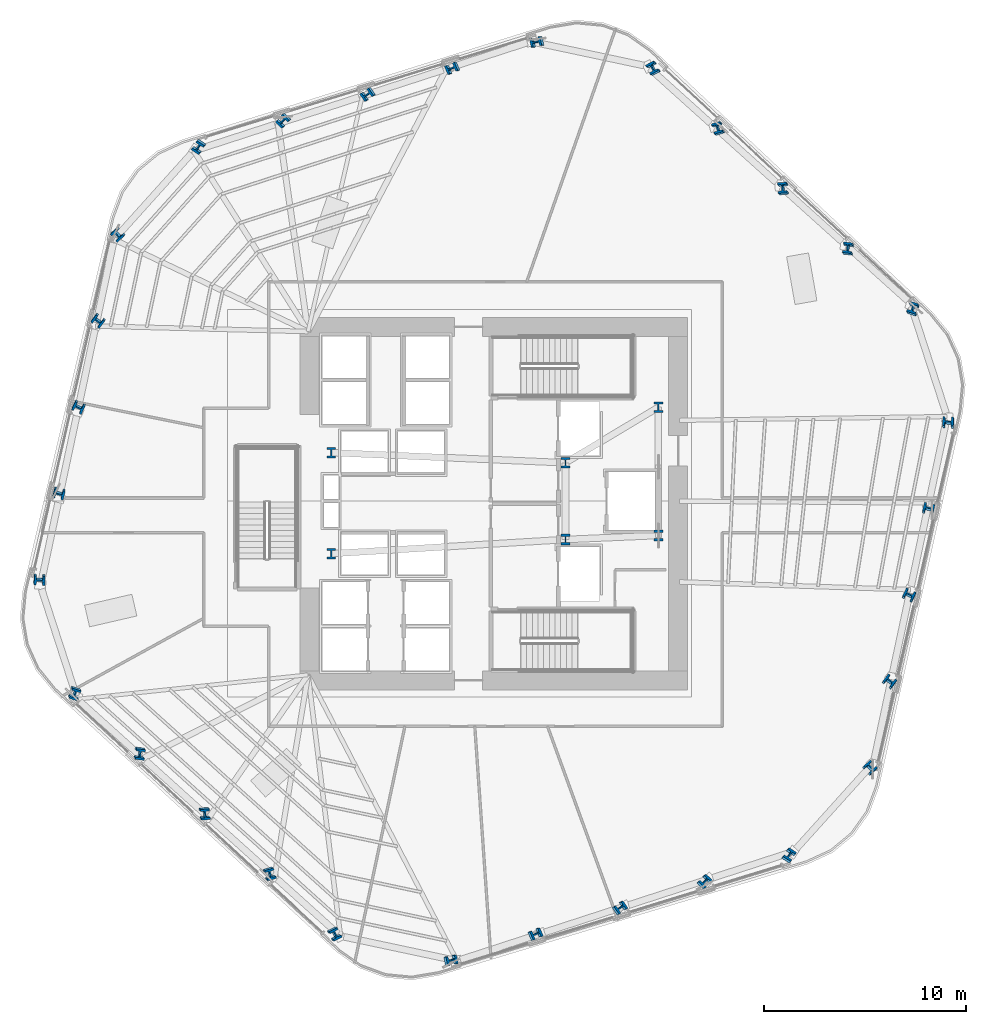
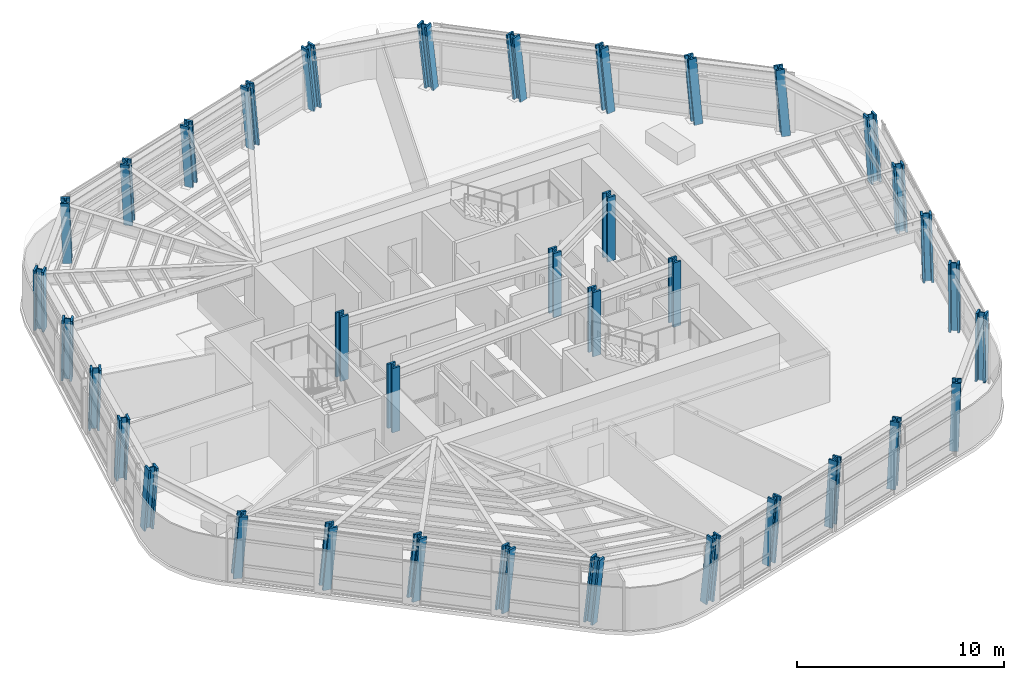
# One storey, part 1 of 16: 36 columns.
"""IFC4 building model written with IfcOpenShell, lengths in metres."""

from ifc_helpers import new_model, si_unit, direction, frame, origin, origin_2d, place, context, subcontext, project, spatial, i_section, extrude, material, material_profile, profile_set, type_object, element, save


model = new_model("IFC4")

# Units and contexts
model_context = context("Model", 3, precision=1e-05, world=origin(), true_north=direction((0.0, 1.0)))
body_context = subcontext(model_context, "Body", "Model", "MODEL_VIEW")
ifc_project = project(units=[si_unit("LENGTHUNIT", "METRE"), si_unit("AREAUNIT", "SQUARE_METRE"), si_unit("VOLUMEUNIT", "CUBIC_METRE"), si_unit("PLANEANGLEUNIT", "RADIAN"), si_unit("MASSUNIT", "GRAM", prefix="KILO")], contexts=[model_context])

# Site, building, storey
site_placement = place(None, origin())
site = spatial("IfcSite", under=ifc_project, at=site_placement, CompositionType="ELEMENT")
building_placement = place(site_placement, origin())
building = spatial("IfcBuilding", under=site, at=building_placement, Name="Valkerne Bourse Tower", CompositionType="ELEMENT")
storey_placement = place(building_placement, frame((0.0, 0.0, 97.199951171875)))
storey = spatial("IfcBuildingStorey", under=building, at=storey_placement, Name="L24", CompositionType="ELEMENT", Elevation=97.199951171875)

# Columns
ifc_material = material(Name="Steel ASTM A913 Grade 65", Category="steel")
ifc_material_profile = material_profile(ifc_material, i_section(OverallWidth=0.44189453125, OverallDepth=0.531005859375, WebThickness=0.06591796875, FlangeThickness=0.105712890625, FilletRadius=0.030517578125, at=origin_2d()), Name="W14X605")
ifc_profile_set = profile_set([ifc_material_profile], Name="Steel ASTM A913 Grade 65")
column_type = type_object("IfcColumnType", Name="COL-W14X605", PredefinedType="COLUMN", material=ifc_profile_set)
for number, where, z_axis, x_axis, name in (
    (1, (38.75, 24.39990234375, 0.005126953125), (0.0, 0.0, 1.0), (1.0, 0.0, 0.0), "L24 Core Frame Column CC-SW"),
    (2, (38.75, 29.39990234375, 0.005126953125), (0.0, 0.0, 1.0), (1.0, 0.0, 0.0), "L24 Core Frame Column CC-NW"),
    (3, (50.35009765625, 25.10009765625, 0.005126953125), (0.0, 0.0, 1.0), (1.0, 0.0, 0.0), "L24 Core Frame Column CC-CE1"),
    (4, (50.35009765625, 28.89990234375, 0.005126953125), (0.0, 0.0, 1.0), (1.0, 0.0, 0.0), "L24 Core Frame Column CC-CE2"),
    (5, (54.949951171875, 25.300048828125, 0.005126953125), (0.0, 0.0, 1.0), (1.0, 0.0, 0.0), "L24 Core Frame Column CC-SE"),
    (6, (54.949951171875, 31.64990234375, 0.005126953125), (0.0, 0.0, 1.0), (1.0, 0.0, 0.0), "L24 Core Frame Column CC-NE"),
):
    element("IfcColumn", number, at=place(storey_placement, frame(where, z_axis=z_axis, x_axis=x_axis)), inside=storey, type_object=column_type, Name=name, PredefinedType="COLUMN", context=body_context, shape_type="SweptSolid", body=[
        extrude(i_section(OverallWidth=0.44189453125, OverallDepth=0.531005859375, WebThickness=0.06591796875, FlangeThickness=0.105712890625, FilletRadius=0.030517578125, at=origin_2d()), origin(), (0.0, 0.0, 1.0), 3.794921875),
    ])
column_1_placement = place(storey_placement, frame((67.576416015625, 36.48046875, 0.010009765625), z_axis=(-0.039918811782, 0.085622958604, 0.995527597521), x_axis=(0.950284878713, -0.304668781184, 0.064308499142)))
element("IfcColumn", 7, at=column_1_placement, inside=storey, type_object=column_type, Name="L24 Helical Perimeter Tube Column F1-C1", PredefinedType="COLUMN", context=body_context, shape_type="SweptSolid", body=[
    extrude(i_section(OverallWidth=0.44189453125, OverallDepth=0.531005859375, WebThickness=0.06591796875, FlangeThickness=0.105712890625, FilletRadius=0.030517578125, at=origin_2d()), origin(), (0.0, 0.0, 1.0), 3.798095703125),
])
column_2_placement = place(storey_placement, frame((64.365478515625, 39.464111328125, 0.010009765625), z_axis=(-0.052158275572, 0.072224097986, 0.996023691465), x_axis=(0.990824243729, -0.120787224906, 0.060644573851)))
element("IfcColumn", 8, at=column_2_placement, inside=storey, type_object=column_type, Name="L24 Helical Perimeter Tube Column F1-C2", PredefinedType="COLUMN", context=body_context, shape_type="SweptSolid", body=[
    extrude(i_section(OverallWidth=0.44189453125, OverallDepth=0.531005859375, WebThickness=0.06591796875, FlangeThickness=0.105712890625, FilletRadius=0.030517578125, at=origin_2d()), origin(), (0.0, 0.0, 1.0), 3.796142578125),
])
column_3_placement = place(storey_placement, frame((61.15478515625, 42.44775390625, 0.010009765625), z_axis=(-0.064388450737, 0.058856575849, 0.996187748816), x_axis=(0.994764710628, 0.083167638803, 0.05938277819)))
element("IfcColumn", 9, at=column_3_placement, inside=storey, type_object=column_type, Name="L24 Helical Perimeter Tube Column F1-C3", PredefinedType="COLUMN", context=body_context, shape_type="SweptSolid", body=[
    extrude(i_section(OverallWidth=0.44189453125, OverallDepth=0.531005859375, WebThickness=0.06591796875, FlangeThickness=0.105712890625, FilletRadius=0.030517578125, at=origin_2d()), origin(), (0.0, 0.0, 1.0), 3.79541015625),
])
column_4_placement = place(storey_placement, frame((57.944091796875, 45.431396484375, 0.010009765625), z_axis=(-0.076597500631, 0.045469716999, 0.99602476261), x_axis=(0.956958290296, 0.283820462698, 0.060636421296)))
element("IfcColumn", 10, at=column_4_placement, inside=storey, type_object=column_type, Name="L24 Helical Perimeter Tube Column F1-C4", PredefinedType="COLUMN", context=body_context, shape_type="SweptSolid", body=[
    extrude(i_section(OverallWidth=0.44189453125, OverallDepth=0.531005859375, WebThickness=0.06591796875, FlangeThickness=0.105712890625, FilletRadius=0.030517578125, at=origin_2d()), origin(), (0.0, 0.0, 1.0), 3.796142578125),
])
column_5_placement = place(storey_placement, frame((54.7333984375, 48.414794921875, 0.010009765625), z_axis=(-0.088837022798, 0.032140746309, 0.995527476169), x_axis=(0.886472417378, 0.458291346421, 0.064309369639)))
element("IfcColumn", 11, at=column_5_placement, inside=storey, type_object=column_type, Name="L24 Helical Perimeter Tube Column F1-C5", PredefinedType="COLUMN", context=body_context, shape_type="SweptSolid", body=[
    extrude(i_section(OverallWidth=0.44189453125, OverallDepth=0.531005859375, WebThickness=0.06591796875, FlangeThickness=0.105712890625, FilletRadius=0.030517578125, at=origin_2d()), origin(), (0.0, 0.0, 1.0), 3.798095703125),
])
column_6_placement = place(storey_placement, frame((48.977783203125, 49.733154296875, 0.010009765625), z_axis=(-0.09404443983, 0.008228084961, 0.995533998392), x_axis=(-0.208307666111, 0.977669362443, -0.027758493828)))
element("IfcColumn", 12, at=column_6_placement, inside=storey, type_object=column_type, Name="L24 Helical Perimeter Tube Column F2-C1", PredefinedType="COLUMN", context=body_context, shape_type="SweptSolid", body=[
    extrude(i_section(OverallWidth=0.44189453125, OverallDepth=0.531005859375, WebThickness=0.06591796875, FlangeThickness=0.105712890625, FilletRadius=0.030517578125, at=origin_2d()), origin(), (0.0, 0.0, 1.0), 3.7978515625),
])
column_7_placement = place(storey_placement, frame((44.78857421875, 48.4443359375, 0.010009765625), z_axis=(-0.088687872444, -0.009068158096, 0.99601818748), x_axis=(-0.388571532188, 0.921045602803, -0.026213773674)))
element("IfcColumn", 13, at=column_7_placement, inside=storey, type_object=column_type, Name="L24 Helical Perimeter Tube Column F2-C2", PredefinedType="COLUMN", context=body_context, shape_type="SweptSolid", body=[
    extrude(i_section(OverallWidth=0.44189453125, OverallDepth=0.531005859375, WebThickness=0.06591796875, FlangeThickness=0.105712890625, FilletRadius=0.030517578125, at=origin_2d()), origin(), (0.0, 0.0, 1.0), 3.796142578125),
])
column_8_placement = place(storey_placement, frame((40.599365234375, 47.155517578125, 0.010009765625), z_axis=(-0.083234990894, -0.026308432207, 0.996182615129), x_axis=(-0.567353744659, 0.823074047914, -0.025667880157)))
element("IfcColumn", 14, at=column_8_placement, inside=storey, type_object=column_type, Name="L24 Helical Perimeter Tube Column F2-C3", PredefinedType="COLUMN", context=body_context, shape_type="SweptSolid", body=[
    extrude(i_section(OverallWidth=0.44189453125, OverallDepth=0.531005859375, WebThickness=0.06591796875, FlangeThickness=0.105712890625, FilletRadius=0.030517578125, at=origin_2d()), origin(), (0.0, 0.0, 1.0), 3.79541015625),
])
column_9_placement = place(storey_placement, frame((36.41015625, 45.86669921875, 0.010009765625), z_axis=(-0.077754657432, -0.043604348833, 0.996018510877), x_axis=(-0.722951505279, 0.690401343267, -0.026212711251)))
element("IfcColumn", 15, at=column_9_placement, inside=storey, type_object=column_type, Name="L24 Helical Perimeter Tube Column F2-C4", PredefinedType="COLUMN", context=body_context, shape_type="SweptSolid", body=[
    extrude(i_section(OverallWidth=0.44189453125, OverallDepth=0.531005859375, WebThickness=0.06591796875, FlangeThickness=0.105712890625, FilletRadius=0.030517578125, at=origin_2d()), origin(), (0.0, 0.0, 1.0), 3.796142578125),
])
for number, where, z_axis, x_axis, name in (
    (16, (32.220947265625, 44.577880859375, 0.010009765625), (-0.072252358741, -0.060874540683, 0.995526939341), (-0.83970284928, 0.542335113874, -0.027780373846), "L24 Helical Perimeter Tube Column F2-C5"),
    (17, (28.201416015625, 40.252685546875, 0.010009765625), (-0.054189260099, -0.077394862585, 0.995526774796), (-0.739456323479, -0.666875403871, -0.092095284235), "L24 Helical Perimeter Tube Column F3-C1"),
):
    element("IfcColumn", number, at=place(storey_placement, frame(where, z_axis=z_axis, x_axis=x_axis)), inside=storey, type_object=column_type, Name=name, PredefinedType="COLUMN", context=body_context, shape_type="SweptSolid", body=[
        extrude(i_section(OverallWidth=0.44189453125, OverallDepth=0.531005859375, WebThickness=0.06591796875, FlangeThickness=0.105712890625, FilletRadius=0.030517578125, at=origin_2d()), origin(), (0.0, 0.0, 1.0), 3.798095703125),
    ])
column_10_placement = place(storey_placement, frame((27.222900390625, 35.980224609375, 0.010009765625), z_axis=(-0.036465748163, -0.081292249872, 0.996023001402), x_axis=(-0.601062392502, -0.794469296727, -0.086847779919)))
element("IfcColumn", 18, at=column_10_placement, inside=storey, type_object=column_type, Name="L24 Helical Perimeter Tube Column F3-C2", PredefinedType="COLUMN", context=body_context, shape_type="SweptSolid", body=[
    extrude(i_section(OverallWidth=0.44189453125, OverallDepth=0.531005859375, WebThickness=0.06591796875, FlangeThickness=0.105712890625, FilletRadius=0.030517578125, at=origin_2d()), origin(), (0.0, 0.0, 1.0), 3.796142578125),
])
column_11_placement = place(storey_placement, frame((26.244384765625, 31.707763671875, 0.010009765625), z_axis=(-0.018782683284, -0.085165317355, 0.996189780879), x_axis=(-0.427143838187, -0.900178484955, -0.085010803566)))
element("IfcColumn", 19, at=column_11_placement, inside=storey, type_object=column_type, Name="L24 Helical Perimeter Tube Column F3-C3", PredefinedType="COLUMN", context=body_context, shape_type="SweptSolid", body=[
    extrude(i_section(OverallWidth=0.44189453125, OverallDepth=0.531005859375, WebThickness=0.06591796875, FlangeThickness=0.105712890625, FilletRadius=0.030517578125, at=origin_2d()), origin(), (0.0, 0.0, 1.0), 3.79541015625),
])
column_12_placement = place(storey_placement, frame((25.26611328125, 27.435546875, 0.010009765625), z_axis=(-0.001157637687, -0.089138101927, 0.996018603571), x_axis=(-0.235839063096, -0.967899310577, -0.086895689778)))
element("IfcColumn", 20, at=column_12_placement, inside=storey, type_object=column_type, Name="L24 Helical Perimeter Tube Column F3-C4", PredefinedType="COLUMN", context=body_context, shape_type="SweptSolid", body=[
    extrude(i_section(OverallWidth=0.44189453125, OverallDepth=0.531005859375, WebThickness=0.06591796875, FlangeThickness=0.105712890625, FilletRadius=0.030517578125, at=origin_2d()), origin(), (0.0, 0.0, 1.0), 3.796142578125),
])
for number, where, z_axis, x_axis, name in (
    (21, (24.28759765625, 23.1630859375, 0.010009765625), (0.01658460971, -0.093015233531, 0.99552655266), (-0.049447900672, -0.994521464575, -0.092097565756), "L24 Helical Perimeter Tube Column F3-C5"),
    (22, (26.023681640625, 17.51953125, 0.010009765625), (0.039918811782, -0.085622958604, 0.995527597521), (0.950284878713, -0.304668781184, -0.064308499142), "L24 Helical Perimeter Tube Column F4-C1"),
):
    element("IfcColumn", number, at=place(storey_placement, frame(where, z_axis=z_axis, x_axis=x_axis)), inside=storey, type_object=column_type, Name=name, PredefinedType="COLUMN", context=body_context, shape_type="SweptSolid", body=[
        extrude(i_section(OverallWidth=0.44189453125, OverallDepth=0.531005859375, WebThickness=0.06591796875, FlangeThickness=0.105712890625, FilletRadius=0.030517578125, at=origin_2d()), origin(), (0.0, 0.0, 1.0), 3.798095703125),
    ])
column_13_placement = place(storey_placement, frame((29.234375, 14.535888671875, 0.010009765625), z_axis=(0.052158275572, -0.072224097986, 0.996023691465), x_axis=(0.990824243729, -0.120787224906, -0.060644573851)))
element("IfcColumn", 23, at=column_13_placement, inside=storey, type_object=column_type, Name="L24 Helical Perimeter Tube Column F4-C2", PredefinedType="COLUMN", context=body_context, shape_type="SweptSolid", body=[
    extrude(i_section(OverallWidth=0.44189453125, OverallDepth=0.531005859375, WebThickness=0.06591796875, FlangeThickness=0.105712890625, FilletRadius=0.030517578125, at=origin_2d()), origin(), (0.0, 0.0, 1.0), 3.796142578125),
])
column_14_placement = place(storey_placement, frame((32.445068359375, 11.55224609375, 0.010009765625), z_axis=(0.064452507786, -0.05885633196, 0.996183620839), x_axis=(0.994721159937, 0.083664141475, -0.059414858449)))
element("IfcColumn", 24, at=column_14_placement, inside=storey, type_object=column_type, Name="L24 Helical Perimeter Tube Column F4-C3", PredefinedType="COLUMN", context=body_context, shape_type="SweptSolid", body=[
    extrude(i_section(OverallWidth=0.44189453125, OverallDepth=0.531005859375, WebThickness=0.06591796875, FlangeThickness=0.105712890625, FilletRadius=0.030517578125, at=origin_2d()), origin(), (0.0, 0.0, 1.0), 3.79541015625),
])
column_15_placement = place(storey_placement, frame((35.656005859375, 8.568603515625, 0.010009765625), z_axis=(0.076597500631, -0.045469716999, 0.99602476261), x_axis=(0.956958290296, 0.283820462698, -0.060636421296)))
element("IfcColumn", 25, at=column_15_placement, inside=storey, type_object=column_type, Name="L24 Helical Perimeter Tube Column F4-C4", PredefinedType="COLUMN", context=body_context, shape_type="SweptSolid", body=[
    extrude(i_section(OverallWidth=0.44189453125, OverallDepth=0.531005859375, WebThickness=0.06591796875, FlangeThickness=0.105712890625, FilletRadius=0.030517578125, at=origin_2d()), origin(), (0.0, 0.0, 1.0), 3.796142578125),
])
column_16_placement = place(storey_placement, frame((38.86669921875, 5.585205078125, 0.010009765625), z_axis=(0.088837022798, -0.032140746309, 0.995527476169), x_axis=(0.886472417378, 0.458291346421, -0.064309369639)))
element("IfcColumn", 26, at=column_16_placement, inside=storey, type_object=column_type, Name="L24 Helical Perimeter Tube Column F4-C5", PredefinedType="COLUMN", context=body_context, shape_type="SweptSolid", body=[
    extrude(i_section(OverallWidth=0.44189453125, OverallDepth=0.531005859375, WebThickness=0.06591796875, FlangeThickness=0.105712890625, FilletRadius=0.030517578125, at=origin_2d()), origin(), (0.0, 0.0, 1.0), 3.798095703125),
])
column_17_placement = place(storey_placement, frame((44.622314453125, 4.266845703125, 0.010009765625), z_axis=(0.09404443983, -0.008228084961, 0.995533998392), x_axis=(-0.208307666111, 0.977669362443, 0.027758493828)))
element("IfcColumn", 27, at=column_17_placement, inside=storey, type_object=column_type, Name="L24 Helical Perimeter Tube Column F5-C1", PredefinedType="COLUMN", context=body_context, shape_type="SweptSolid", body=[
    extrude(i_section(OverallWidth=0.44189453125, OverallDepth=0.531005859375, WebThickness=0.06591796875, FlangeThickness=0.105712890625, FilletRadius=0.030517578125, at=origin_2d()), origin(), (0.0, 0.0, 1.0), 3.7978515625),
])
column_18_placement = place(storey_placement, frame((48.811279296875, 5.5556640625, 0.010009765625), z_axis=(0.088687872444, 0.009068158096, 0.99601818748), x_axis=(-0.388571532188, 0.921045602803, 0.026213773674)))
element("IfcColumn", 28, at=column_18_placement, inside=storey, type_object=column_type, Name="L24 Helical Perimeter Tube Column F5-C2", PredefinedType="COLUMN", context=body_context, shape_type="SweptSolid", body=[
    extrude(i_section(OverallWidth=0.44189453125, OverallDepth=0.531005859375, WebThickness=0.06591796875, FlangeThickness=0.105712890625, FilletRadius=0.030517578125, at=origin_2d()), origin(), (0.0, 0.0, 1.0), 3.796142578125),
])
column_19_placement = place(storey_placement, frame((53.00048828125, 6.844482421875, 0.010009765625), z_axis=(0.083234990894, 0.026308432207, 0.996182615129), x_axis=(-0.567353744659, 0.823074047914, 0.025667880157)))
element("IfcColumn", 29, at=column_19_placement, inside=storey, type_object=column_type, Name="L24 Helical Perimeter Tube Column F5-C3", PredefinedType="COLUMN", context=body_context, shape_type="SweptSolid", body=[
    extrude(i_section(OverallWidth=0.44189453125, OverallDepth=0.531005859375, WebThickness=0.06591796875, FlangeThickness=0.105712890625, FilletRadius=0.030517578125, at=origin_2d()), origin(), (0.0, 0.0, 1.0), 3.79541015625),
])
column_20_placement = place(storey_placement, frame((57.18994140625, 8.13330078125, 0.010009765625), z_axis=(0.077690732578, 0.043604566794, 0.996023489596), x_axis=(-0.723196514978, 0.690145312224, 0.026196349739)))
element("IfcColumn", 30, at=column_20_placement, inside=storey, type_object=column_type, Name="L24 Helical Perimeter Tube Column F5-C4", PredefinedType="COLUMN", context=body_context, shape_type="SweptSolid", body=[
    extrude(i_section(OverallWidth=0.44189453125, OverallDepth=0.531005859375, WebThickness=0.06591796875, FlangeThickness=0.105712890625, FilletRadius=0.030517578125, at=origin_2d()), origin(), (0.0, 0.0, 1.0), 3.796142578125),
])
for number, where, z_axis, x_axis, name in (
    (31, (61.379150390625, 9.422119140625, 0.010009765625), (0.072188412413, 0.06087482329, 0.995531561028), (-0.839941684555, 0.541965878062, 0.027766050573), "L24 Helical Perimeter Tube Column F5-C5"),
    (32, (65.3984375, 13.747314453125, 0.010009765625), (0.054189260099, 0.077394862585, 0.995526774796), (-0.739456323479, -0.666875403871, 0.092095284235), "L24 Helical Perimeter Tube Column F6-C1"),
):
    element("IfcColumn", number, at=place(storey_placement, frame(where, z_axis=z_axis, x_axis=x_axis)), inside=storey, type_object=column_type, Name=name, PredefinedType="COLUMN", context=body_context, shape_type="SweptSolid", body=[
        extrude(i_section(OverallWidth=0.44189453125, OverallDepth=0.531005859375, WebThickness=0.06591796875, FlangeThickness=0.105712890625, FilletRadius=0.030517578125, at=origin_2d()), origin(), (0.0, 0.0, 1.0), 3.798095703125),
    ])
column_21_placement = place(storey_placement, frame((66.376953125, 18.019775390625, 0.010009765625), z_axis=(0.036529975904, 0.081292059055, 0.996020663438), x_axis=(-0.601584421182, -0.794071295358, 0.086873252958)))
element("IfcColumn", 33, at=column_21_placement, inside=storey, type_object=column_type, Name="L24 Helical Perimeter Tube Column F6-C2", PredefinedType="COLUMN", context=body_context, shape_type="SweptSolid", body=[
    extrude(i_section(OverallWidth=0.44189453125, OverallDepth=0.531005859375, WebThickness=0.06591796875, FlangeThickness=0.105712890625, FilletRadius=0.030517578125, at=origin_2d()), origin(), (0.0, 0.0, 1.0), 3.796142578125),
])
column_22_placement = place(storey_placement, frame((67.35546875, 22.292236328125, 0.010009765625), z_axis=(0.018846984732, 0.085165214284, 0.996188575242), x_axis=(-0.427791727652, -0.899869500908, 0.085024226474)))
element("IfcColumn", 34, at=column_22_placement, inside=storey, type_object=column_type, Name="L24 Helical Perimeter Tube Column F6-C3", PredefinedType="COLUMN", context=body_context, shape_type="SweptSolid", body=[
    extrude(i_section(OverallWidth=0.44189453125, OverallDepth=0.531005859375, WebThickness=0.06591796875, FlangeThickness=0.105712890625, FilletRadius=0.030517578125, at=origin_2d()), origin(), (0.0, 0.0, 1.0), 3.79541015625),
])
column_23_placement = place(storey_placement, frame((68.333984375, 26.564453125, 0.010009765625), z_axis=(0.001093324562, 0.08913810838, 0.996018675666), x_axis=(-0.235140773946, -0.968069259911, 0.086894904591)))
element("IfcColumn", 35, at=column_23_placement, inside=storey, type_object=column_type, Name="L24 Helical Perimeter Tube Column F6-C4", PredefinedType="COLUMN", context=body_context, shape_type="SweptSolid", body=[
    extrude(i_section(OverallWidth=0.44189453125, OverallDepth=0.531005859375, WebThickness=0.06591796875, FlangeThickness=0.105712890625, FilletRadius=0.030517578125, at=origin_2d()), origin(), (0.0, 0.0, 1.0), 3.796142578125),
])
column_24_placement = place(storey_placement, frame((69.3125, 30.8369140625, 0.010009765625), z_axis=(-0.01658460971, 0.093015233531, 0.99552655266), x_axis=(-0.049447900672, -0.994521464575, 0.092097565756)))
element("IfcColumn", 36, at=column_24_placement, inside=storey, type_object=column_type, Name="L24 Helical Perimeter Tube Column F6-C5", PredefinedType="COLUMN", context=body_context, shape_type="SweptSolid", body=[
    extrude(i_section(OverallWidth=0.44189453125, OverallDepth=0.531005859375, WebThickness=0.06591796875, FlangeThickness=0.105712890625, FilletRadius=0.030517578125, at=origin_2d()), origin(), (0.0, 0.0, 1.0), 3.798095703125),
])

save(model, "model.ifc")
